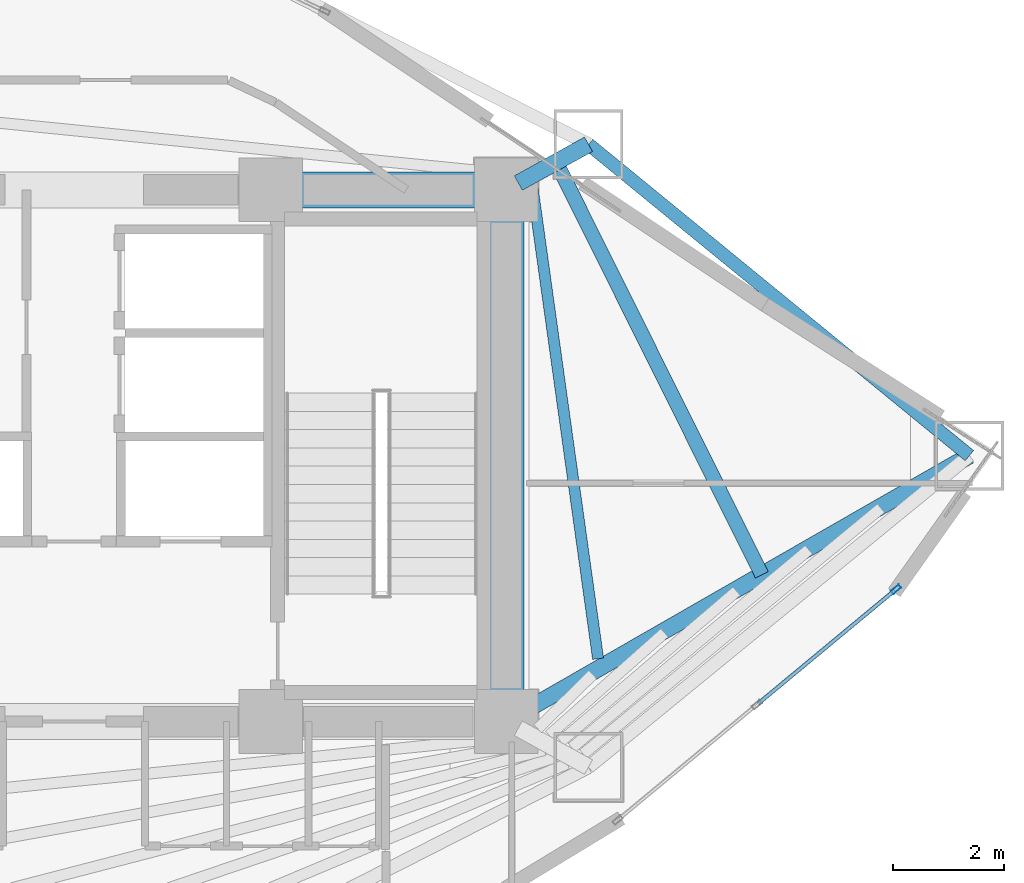
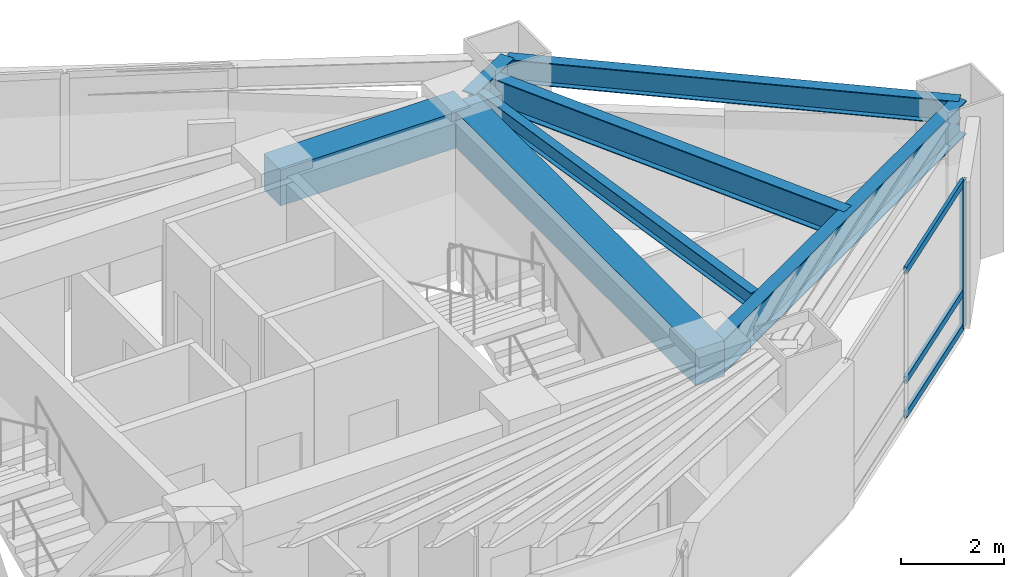
# One storey, part 17 of 23: 7 beams, 4 members, 1 element without a shape of its own.
"""IFC4 building model written with IfcOpenShell, lengths in metres."""

from ifc_helpers import new_model, si_unit, direction, frame, origin, origin_2d, place, context, subcontext, project, spatial, rectangle, hollow_rectangle, i_section, extrude, material, layer, layer_set, material_profile, profile_set, type_object, element, aggregate, save


model = new_model("IFC4")

# Units and contexts
model_context = context("Model", 3, precision=1e-05, world=origin(), true_north=direction((0.0, 1.0)))
body_context = subcontext(model_context, "Body", "Model", "MODEL_VIEW")
ifc_project = project(units=[si_unit("LENGTHUNIT", "METRE"), si_unit("AREAUNIT", "SQUARE_METRE"), si_unit("VOLUMEUNIT", "CUBIC_METRE"), si_unit("PLANEANGLEUNIT", "RADIAN"), si_unit("MASSUNIT", "GRAM", prefix="KILO")], contexts=[model_context])

# Site, building, storey
site_placement = place(None, origin())
site = spatial("IfcSite", under=ifc_project, at=site_placement, CompositionType="ELEMENT")
building_placement = place(site_placement, origin())
building = spatial("IfcBuilding", under=site, at=building_placement, Name="Menara Vayukalpa", CompositionType="ELEMENT")
storey_placement = place(building_placement, frame((0.0, 0.0, 111.419921875)))
storey = spatial("IfcBuildingStorey", under=building, at=storey_placement, Name="L27", CompositionType="ELEMENT", Elevation=111.419921875)

# Beams
ifc_material_1 = material(Name="Concrete C60/75", Category="concrete")
ifc_material_profile_1 = material_profile(ifc_material_1, rectangle(XDim=0.64990234375, YDim=0.85009765625, at=origin_2d()), Name="RC 650x850")
ifc_profile_set_1 = profile_set([ifc_material_profile_1], Name="Concrete C60/75")
beam_type_1 = type_object("IfcBeamType", Name="BM-CB1", PredefinedType="BEAM", material=ifc_profile_set_1)
beam_1_placement = place(storey_placement, frame((29.14990234375, 26.800048828125, 3.045166015625), z_axis=(1.0, 0.0, 0.0), x_axis=(0.0, 1.0, 0.0)))
element("IfcBeam", 1, at=beam_1_placement, inside=storey, type_object=beam_type_1, Name="L27 Core Tie Beam CBR6", PredefinedType="BEAM", context=body_context, shape_type="SweptSolid", body=[
    extrude(rectangle(XDim=0.64990234375, YDim=0.85009765625, at=origin_2d()), origin(), (0.0, 0.0, 1.0), 4.25),
])
beam_2_placement = place(storey_placement, frame((33.39990234375, 17.199951171875, 3.045166015625), z_axis=(0.0, 1.0, 0.0), x_axis=(-1.0, 0.0, 0.0)))
element("IfcBeam", 2, at=beam_2_placement, inside=storey, type_object=beam_type_1, Name="L27 Core Tie Beam CBR8", PredefinedType="BEAM", context=body_context, shape_type="SweptSolid", body=[
    extrude(rectangle(XDim=0.64990234375, YDim=0.85009765625, at=origin_2d()), origin(), (0.0, 0.0, 1.0), 9.60009765625),
])
ifc_material_2 = material(Name="Steel S355", Category="steel")
ifc_material_profile_2 = material_profile(ifc_material_2, i_section(OverallWidth=0.300048828125, OverallDepth=0.800048828125, WebThickness=0.013916015625, FlangeThickness=0.02587890625, at=origin_2d()), Name="WF 800x300x14x26")
ifc_profile_set_2 = profile_set([ifc_material_profile_2], Name="Steel S355")
beam_type_2 = type_object("IfcBeamType", Name="BM-PG3", PredefinedType="BEAM", material=ifc_profile_set_2)
beam_3_placement = place(storey_placement, frame((33.61669921875, 17.324462890625, 3.070068359375), z_axis=(0.867273673572, 0.497831673488, 0.0), x_axis=(-0.497831673488, 0.867273673572, 0.0)))
element("IfcBeam", 3, at=beam_3_placement, inside=storey, type_object=beam_type_2, Name="L27 Primary Radial Girder RG01", PredefinedType="BEAM", context=body_context, shape_type="SweptSolid", body=[
    extrude(i_section(OverallWidth=0.300048828125, OverallDepth=0.800048828125, WebThickness=0.013916015625, FlangeThickness=0.02587890625, at=origin_2d()), origin(), (0.0, 0.0, 1.0), 9.391845703125),
])
beam_4_placement = place(storey_placement, frame((33.618896484375, 26.9208984375, 3.070068359375), z_axis=(0.875228391676, 0.48370989488, 0.0), x_axis=(-0.48370989488, 0.875228391676, 0.0)))
element("IfcBeam", 4, at=beam_4_placement, inside=storey, type_object=beam_type_2, Name="L27 Primary Radial Girder RG02", PredefinedType="BEAM", context=body_context, shape_type="SweptSolid", body=[
    extrude(i_section(OverallWidth=0.300048828125, OverallDepth=0.800048828125, WebThickness=0.013916015625, FlangeThickness=0.02587890625, at=origin_2d()), origin(), (0.0, 0.0, 1.0), 1.448486328125),
])
ifc_material_3 = material(Name="Steel S460", Category="steel")
ifc_material_profile_3 = material_profile(ifc_material_3, i_section(OverallWidth=0.260009765625, OverallDepth=0.679931640625, WebThickness=0.012939453125, FlangeThickness=0.02197265625, at=origin_2d()), Name="WF 680x260x13x22")
ifc_profile_set_3 = profile_set([ifc_material_profile_3], Name="Steel S460")
beam_type_3 = type_object("IfcBeamType", Name="BM-SBG1", PredefinedType="BEAM", material=ifc_profile_set_3)
beam_5_placement = place(storey_placement, frame((38.01513671875, 19.849365234375, 3.130126953125), z_axis=(-0.445934263538, 0.895065714126, 0.0), x_axis=(-0.895065714126, -0.445934263538, 0.0)))
element("IfcBeam", 5, at=beam_5_placement, inside=storey, type_object=beam_type_3, Name="L27 SB2 Sky Bar Interior Tie Beam", PredefinedType="BEAM", context=body_context, shape_type="SweptSolid", body=[
    extrude(i_section(OverallWidth=0.260009765625, OverallDepth=0.679931640625, WebThickness=0.012939453125, FlangeThickness=0.02197265625, at=origin_2d()), origin(), (0.0, 0.0, 1.0), 8.3232421875),
])
ifc_material_4 = material(Name="Steel S355", Category="steel")
ifc_material_profile_4 = material_profile(ifc_material_4, i_section(OverallWidth=0.199951171875, OverallDepth=0.39990234375, WebThickness=0.008056640625, FlangeThickness=0.012939453125, at=origin_2d()), Name="WF 400x200x8x13")
ifc_profile_set_4 = profile_set([ifc_material_profile_4], Name="Steel S355")
beam_type_4 = type_object("IfcBeamType", Name="BM-SJ2", PredefinedType="JOIST", material=ifc_profile_set_4)
beam_6_placement = place(storey_placement, frame((35.0595703125, 18.33447265625, 3.27001953125), z_axis=(-0.137826740717, 0.990456354184, 0.0), x_axis=(-0.990456354184, -0.137826740717, 0.0)))
element("IfcBeam", 6, at=beam_6_placement, inside=storey, type_object=beam_type_4, Name="L27 Secondary Floor Joist SJ01-1", PredefinedType="JOIST", context=body_context, shape_type="SweptSolid", body=[
    extrude(i_section(OverallWidth=0.199951171875, OverallDepth=0.39990234375, WebThickness=0.008056640625, FlangeThickness=0.012939453125, at=origin_2d()), origin(), (0.0, 0.0, 1.0), 8.62646484375),
])
ifc_material_5 = material(Name="Steel S355", Category="steel")
ifc_material_profile_5 = material_profile(ifc_material_5, i_section(OverallWidth=0.239990234375, OverallDepth=0.550048828125, WebThickness=0.010986328125, FlangeThickness=0.01904296875, at=origin_2d()), Name="WF 550x240x11x19")
ifc_profile_set_5 = profile_set([ifc_material_profile_5], Name="Steel S355")
beam_type_5 = type_object("IfcBeamType", Name="BM-SP2", PredefinedType="SPANDREL", material=ifc_profile_set_5)
beam_7_placement = place(storey_placement, frame((41.761962890625, 22.0, 3.195068359375), z_axis=(-0.774156906301, 0.632993747541, 0.0), x_axis=(-0.632993747541, -0.774156906301, 0.0)))
element("IfcBeam", 7, at=beam_7_placement, inside=storey, type_object=beam_type_5, Name="L27 Perimeter Spandrel Beam SP01", PredefinedType="SPANDREL", context=body_context, shape_type="SweptSolid", body=[
    extrude(i_section(OverallWidth=0.239990234375, OverallDepth=0.550048828125, WebThickness=0.010986328125, FlangeThickness=0.01904296875, at=origin_2d()), origin(), (0.0, 0.0, 1.0), 8.880859375),
])

# Curtain wall, members
ifc_material_6 = material(Name="Anodised Terracotta Aluminium Alloy 6063-T6", Category="masonry")
ifc_layer = layer(ifc_material_6, 0.179931640625)
ifc_layer_set = layer_set([ifc_layer], Name="Anodised Terracotta Aluminium Alloy 6063-T6")
curtain_wall_type = type_object("IfcCurtainWallType", Name="CW-CW4", PredefinedType="USERDEFINED", material=ifc_layer_set)
curtain_wall_placement = place(storey_placement, origin())
curtain_wall = element("IfcCurtainWall", 8, at=curtain_wall_placement, inside=storey, type_object=curtain_wall_type, Name="L27 Sky Bar Cantilever Glazed Curtain Wall CW4 19", ObjectType="UNITISED", PredefinedType="USERDEFINED")
ifc_material_7 = material(Name="Anodised Terracotta Aluminium Alloy 6063-T6", Category="masonry")
ifc_material_profile_6 = material_profile(ifc_material_7, hollow_rectangle(XDim=0.074951171875, YDim=0.179931640625, WallThickness=0.00390625, at=origin_2d()), Name="ALU 75x180x4")
ifc_profile_set_6 = profile_set([ifc_material_profile_6], Name="Anodised Terracotta Aluminium Alloy 6063-T6")
member_type_1 = type_object("IfcMemberType", Name="CWM-CW4", PredefinedType="MULLION", material=ifc_profile_set_6)
member_1_placement = place(storey_placement, frame((40.438720703125, 19.58837890625, 0.0), z_axis=(0.0, 0.0, 1.0), x_axis=(-0.638345501574, 0.769749972797, 0.0)))
member_1 = element("IfcMember", 9, at=member_1_placement, type_object=member_type_1, Name="CW4 mullion 3", PredefinedType="MULLION", context=body_context, shape_type="SweptSolid", body=[
    extrude(hollow_rectangle(XDim=0.074951171875, YDim=0.179931640625, WallThickness=0.00390625, at=origin_2d()), origin(), (0.0, 0.0, 1.0), 3.469970703125),
])
ifc_material_8 = material(Name="Anodised Terracotta Aluminium Alloy 6063-T6", Category="masonry")
ifc_material_profile_7 = material_profile(ifc_material_8, hollow_rectangle(XDim=0.070068359375, YDim=0.1650390625, WallThickness=0.00390625, at=origin_2d()), Name="ALU 70x165x4")
ifc_profile_set_7 = profile_set([ifc_material_profile_7], Name="Anodised Terracotta Aluminium Alloy 6063-T6")
member_type_2 = type_object("IfcMemberType", Name="CWT-CW4", PredefinedType="USERDEFINED", material=ifc_profile_set_7)
member_2_placement = place(storey_placement, frame((37.955810546875, 17.529052734375, 0.03515625), z_axis=(0.769712991682, 0.638390092683, 0.0), x_axis=(-0.638390092683, 0.769712991682, 0.0)))
member_2 = element("IfcMember", 10, at=member_2_placement, type_object=member_type_2, Name="CW4 transom 2.1", ObjectType="TRANSOM", PredefinedType="USERDEFINED", context=body_context, shape_type="SweptSolid", body=[
    extrude(hollow_rectangle(XDim=0.070068359375, YDim=0.1650390625, WallThickness=0.00390625, at=origin_2d()), origin(), (0.0, 0.0, 1.0), 3.188232421875),
])
member_3_placement = place(storey_placement, frame((37.955810546875, 17.529052734375, 0.85009765625), z_axis=(0.769712991682, 0.638390092683, 0.0), x_axis=(-0.638390092683, 0.769712991682, 0.0)))
member_3 = element("IfcMember", 11, at=member_3_placement, type_object=member_type_2, Name="CW4 transom 2.2", ObjectType="TRANSOM", PredefinedType="USERDEFINED", context=body_context, shape_type="SweptSolid", body=[
    extrude(hollow_rectangle(XDim=0.070068359375, YDim=0.1650390625, WallThickness=0.00390625, at=origin_2d()), origin(), (0.0, 0.0, 1.0), 3.188232421875),
])
member_4_placement = place(storey_placement, frame((37.955810546875, 17.529052734375, 3.43505859375), z_axis=(0.769712991682, 0.638390092683, 0.0), x_axis=(-0.638390092683, 0.769712991682, 0.0)))
member_4 = element("IfcMember", 12, at=member_4_placement, type_object=member_type_2, Name="CW4 transom 2.3", ObjectType="TRANSOM", PredefinedType="USERDEFINED", context=body_context, shape_type="SweptSolid", body=[
    extrude(hollow_rectangle(XDim=0.070068359375, YDim=0.1650390625, WallThickness=0.00390625, at=origin_2d()), origin(), (0.0, 0.0, 1.0), 3.188232421875),
])
aggregate(curtain_wall, [member_1, member_2, member_3, member_4])

save(model, "model.ifc")
